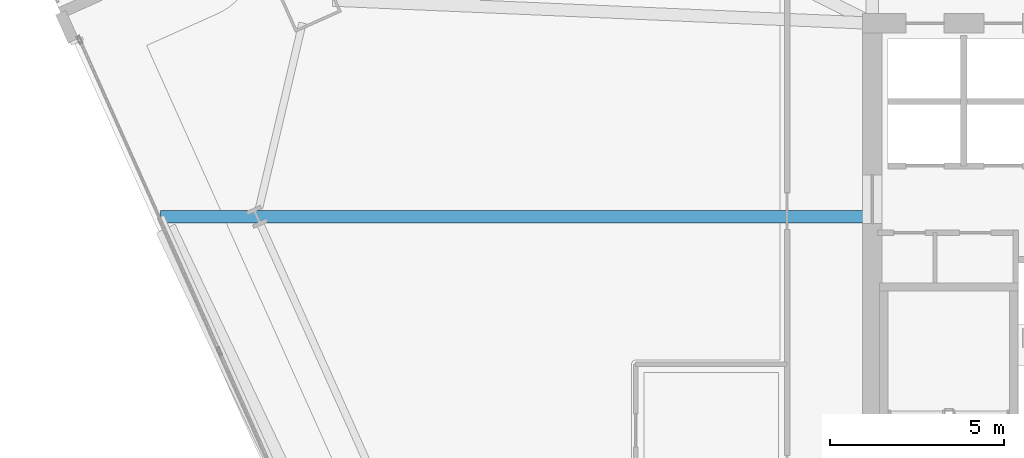
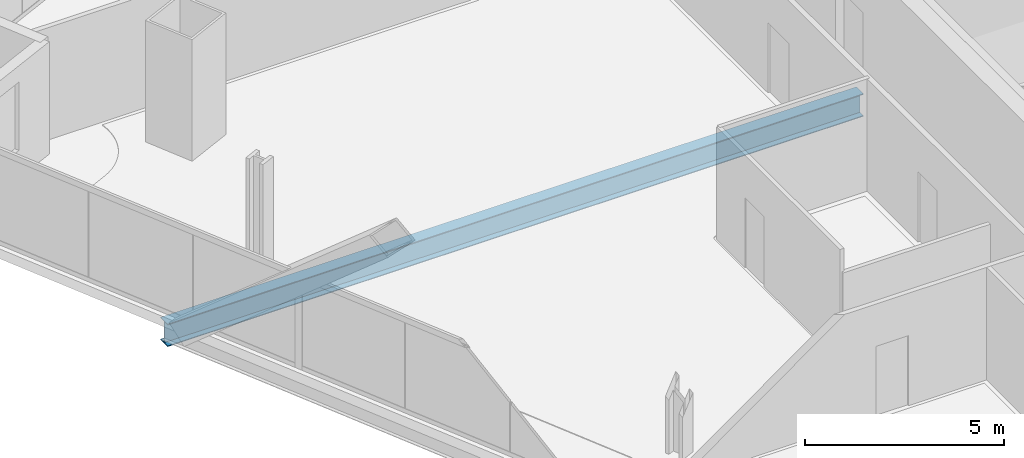
# One storey, part 15 of 38: 1 beam.
"""IFC4 building model written with IfcOpenShell, lengths in metres."""

from ifc_helpers import new_model, si_unit, direction, frame, origin, origin_2d, place, context, subcontext, project, spatial, i_section, extrude, material, material_profile, profile_set, type_object, element, save


model = new_model("IFC4")

# Units and contexts
model_context = context("Model", 3, precision=1e-05, world=origin(), true_north=direction((0.0, 1.0)))
body_context = subcontext(model_context, "Body", "Model", "MODEL_VIEW")
ifc_project = project(units=[si_unit("LENGTHUNIT", "METRE"), si_unit("AREAUNIT", "SQUARE_METRE"), si_unit("VOLUMEUNIT", "CUBIC_METRE"), si_unit("PLANEANGLEUNIT", "RADIAN"), si_unit("MASSUNIT", "GRAM", prefix="KILO")], contexts=[model_context])

# Site, building, storey
site_placement = place(None, origin())
site = spatial("IfcSite", under=ifc_project, at=site_placement, CompositionType="ELEMENT")
building_placement = place(site_placement, origin())
building = spatial("IfcBuilding", under=site, at=building_placement, Name="Haldenkirk Collegiate Tower", CompositionType="ELEMENT")
storey_placement = place(building_placement, frame((0.0, 0.0, 109.199951171875)))
storey = spatial("IfcBuildingStorey", under=building, at=storey_placement, Name="L26", CompositionType="ELEMENT", Elevation=109.199951171875)

# Beam
ifc_material = material(Name="Steel ASTM A992 Grade 50", Category="steel")
ifc_material_profile = material_profile(ifc_material, i_section(OverallWidth=0.35498046875, OverallDepth=0.696044921875, WebThickness=0.015380859375, FlangeThickness=0.02490234375, at=origin_2d()), Name="W27X146")
ifc_profile_set = profile_set([ifc_material_profile], Name="Steel ASTM A992 Grade 50")
beam_type = type_object("IfcBeamType", Name="BM-GIRDER-W27X146", PredefinedType="BEAM", material=ifc_profile_set)
beam_placement = place(storey_placement, frame((6.545166015625, 28.436767578125, -0.64794921875), z_axis=(1.0, 0.0, 0.0), x_axis=(0.0, 1.0, 0.0)))
element("IfcBeam", 1, at=beam_placement, inside=storey, type_object=beam_type, Name="L26 primary floor girder 14", PredefinedType="BEAM", context=body_context, shape_type="SweptSolid", body=[
    extrude(i_section(OverallWidth=0.35498046875, OverallDepth=0.696044921875, WebThickness=0.015380859375, FlangeThickness=0.02490234375, at=origin_2d()), origin(), (0.0, 0.0, 1.0), 20.199951171875),
])

save(model, "model.ifc")
